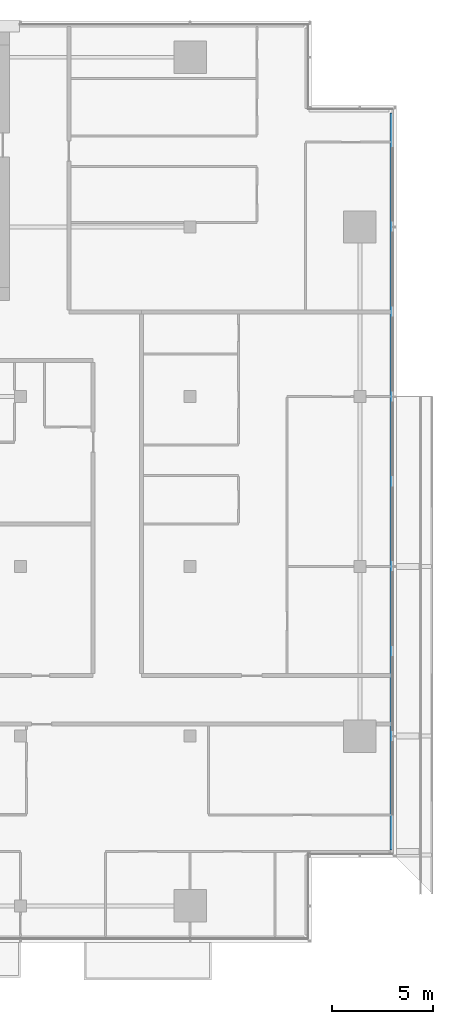
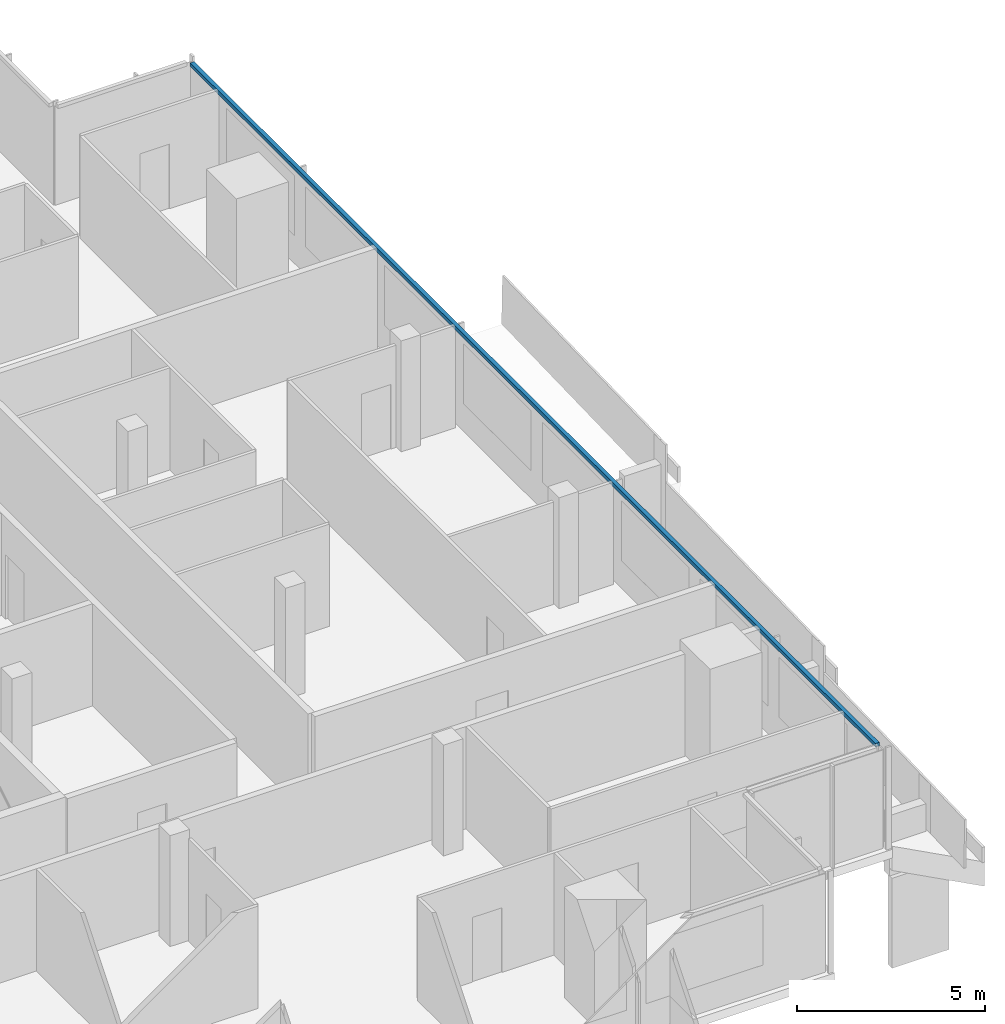
# One storey, part 13 of 29: 1 member, 1 element without a shape of its own.
"""IFC4 building model written with IfcOpenShell, lengths in metres."""

from ifc_helpers import new_model, si_unit, direction, frame, origin, origin_2d, place, context, subcontext, project, spatial, rectangle, extrude, material, material_profile, profile_set, type_object, element, aggregate, save


model = new_model("IFC4")

# Units and contexts
model_context = context("Model", 3, precision=1e-05, world=origin(), true_north=direction((0.0, 1.0)))
body_context = subcontext(model_context, "Body", "Model", "MODEL_VIEW")
ifc_project = project(units=[si_unit("LENGTHUNIT", "METRE"), si_unit("AREAUNIT", "SQUARE_METRE"), si_unit("VOLUMEUNIT", "CUBIC_METRE"), si_unit("PLANEANGLEUNIT", "RADIAN"), si_unit("MASSUNIT", "GRAM", prefix="KILO")], contexts=[model_context])

# Site, building, storey
site_placement = place(None, origin())
site = spatial("IfcSite", under=ifc_project, at=site_placement, CompositionType="ELEMENT")
building_placement = place(site_placement, origin())
building = spatial("IfcBuilding", under=site, at=building_placement, Name="Saffron Gate Tower", CompositionType="ELEMENT")
storey_placement = place(building_placement, frame((0.0, 0.0, 219.89990234375)))
storey = spatial("IfcBuildingStorey", under=building, at=storey_placement, Name="L53", CompositionType="ELEMENT", Elevation=219.89990234375)

# Curtain wall, member
ifc_material = material(Name="Aluminium, bronze anodised", Category="aluminium")
curtain_wall_type = type_object("IfcCurtainWallType", Name="CWS2 curtain wall side facades", PredefinedType="NOTDEFINED", material=ifc_material)
curtain_wall_placement = place(storey_placement, origin())
curtain_wall = element("IfcCurtainWall", 1, at=curtain_wall_placement, inside=storey, type_object=curtain_wall_type, Name="CWS2 run 4", PredefinedType="NOTDEFINED")
ifc_material_profile = material_profile(ifc_material, rectangle(XDim=0.1201171875, YDim=0.1201171875, at=origin_2d()))
ifc_profile_set = profile_set([ifc_material_profile], Name="Aluminium, bronze anodised")
member_type = type_object("IfcMemberType", Name="CWS2 head transom", PredefinedType="USERDEFINED", material=ifc_profile_set)
member_placement = place(storey_placement, frame((126.951904296875, 34.568115234375, 3.260009765625), z_axis=(0.0, 1.0, 0.0), x_axis=(-1.0, 0.0, 0.0)))
member = element("IfcMember", 2, at=member_placement, type_object=member_type, Name="CWS2 head transom", ObjectType="TRANSOM", PredefinedType="USERDEFINED", context=body_context, shape_type="SweptSolid", body=[
    extrude(rectangle(XDim=0.1201171875, YDim=0.1201171875, at=origin_2d()), origin(), (0.0, 0.0, 1.0), 36.4638671875),
])
aggregate(curtain_wall, [member])

save(model, "model.ifc")
